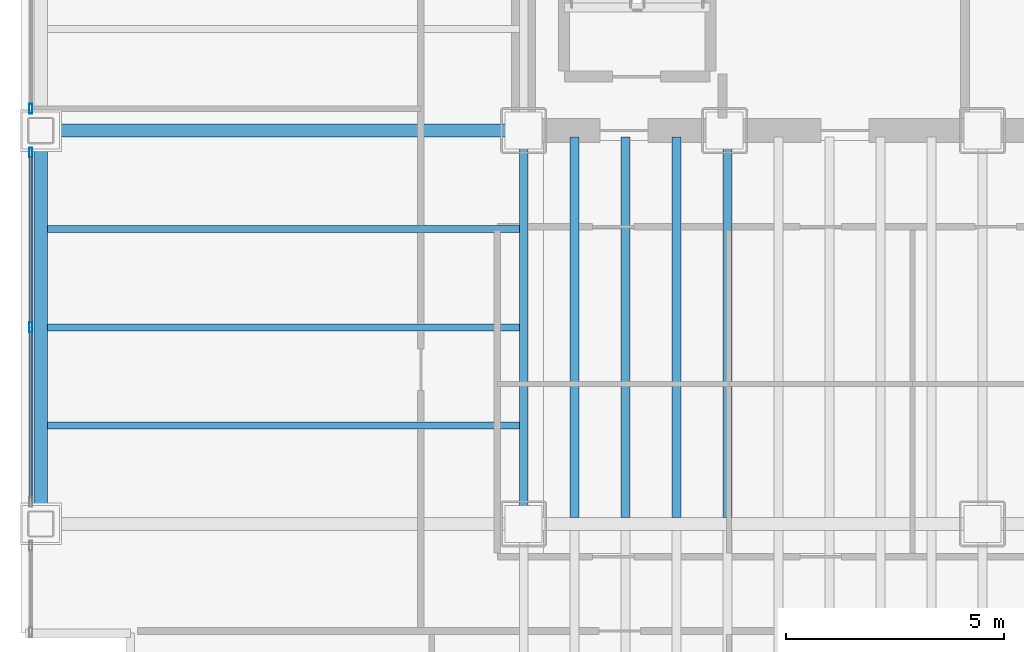
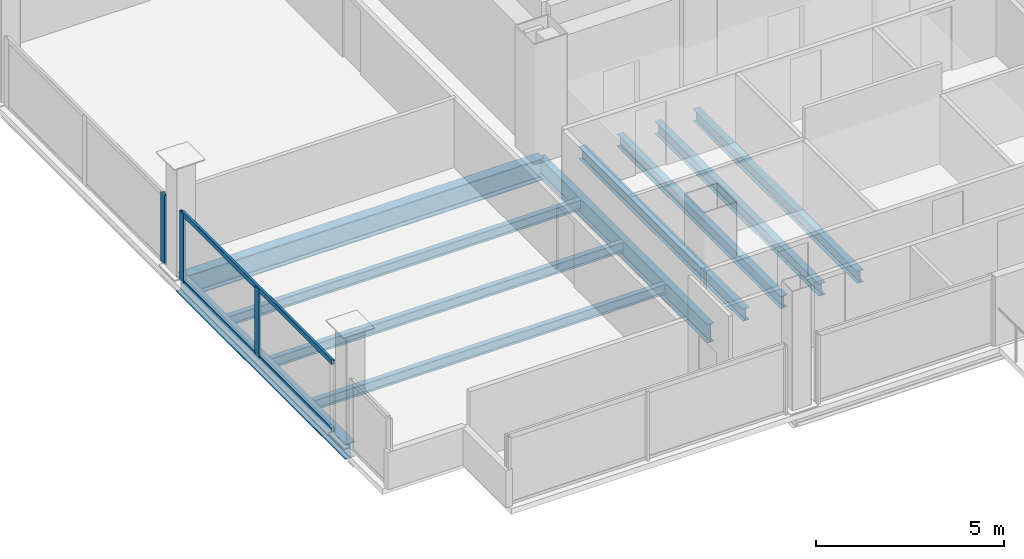
# One storey, part 3 of 21: 10 beams, 5 members, 2 elements without a shape of their own.
"""IFC4 building model written with IfcOpenShell, lengths in metres."""

from ifc_helpers import new_model, si_unit, direction, frame, origin, origin_2d, place, context, subcontext, project, spatial, hollow_rectangle, i_section, extrude, material, material_profile, profile_set, type_object, element, aggregate, save


model = new_model("IFC4")

# Units and contexts
model_context = context("Model", 3, precision=1e-05, world=origin(), true_north=direction((0.0, 1.0)))
body_context = subcontext(model_context, "Body", "Model", "MODEL_VIEW")
ifc_project = project(units=[si_unit("LENGTHUNIT", "METRE"), si_unit("AREAUNIT", "SQUARE_METRE"), si_unit("VOLUMEUNIT", "CUBIC_METRE"), si_unit("PLANEANGLEUNIT", "RADIAN"), si_unit("MASSUNIT", "GRAM", prefix="KILO")], contexts=[model_context])

# Site, building, storey
site_placement = place(None, origin())
site = spatial("IfcSite", under=ifc_project, at=site_placement, CompositionType="ELEMENT")
building_placement = place(site_placement, origin())
building = spatial("IfcBuilding", under=site, at=building_placement, Name="Noeulbin Bourse Tower", CompositionType="ELEMENT")
storey_placement = place(building_placement, frame((0.0, 0.0, 49.89990234375)))
storey = spatial("IfcBuildingStorey", under=building, at=storey_placement, Name="L12", CompositionType="ELEMENT", Elevation=49.89990234375)

# Beams
ifc_material_1 = material(Name="Steel S355", Category="steel")
ifc_material_profile_1 = material_profile(ifc_material_1, i_section(OverallWidth=0.199951171875, OverallDepth=0.60009765625, WebThickness=0.010986328125, FlangeThickness=0.01708984375, FilletRadius=0.02197265625, at=origin_2d()), Name="H-600x200x11x17", Category="LoadBearing")
ifc_profile_set_1 = profile_set([ifc_material_profile_1], Name="Steel S355")
beam_type_1 = type_object("IfcBeamType", Name="BM-GRD-600", PredefinedType="USERDEFINED", material=ifc_profile_set_1)
beam_1_placement = place(storey_placement, frame((13.5, 20.0, -0.47998046875), z_axis=(0.0, 1.0, 0.0), x_axis=(-1.0, 0.0, 0.0)))
element("IfcBeam", 1, at=beam_1_placement, inside=storey, type_object=beam_type_1, Name="Tower Primary Girder NS L12-1.2", ObjectType="GIRDER", PredefinedType="USERDEFINED", context=body_context, shape_type="SweptSolid", body=[
    extrude(i_section(OverallWidth=0.199951171875, OverallDepth=0.60009765625, WebThickness=0.010986328125, FlangeThickness=0.01708984375, FilletRadius=0.02197265625, at=origin_2d()), origin(), (0.0, 0.0, 1.0), 9.0),
])
ifc_material_profile_2 = material_profile(ifc_material_1, i_section(OverallWidth=0.300048828125, OverallDepth=0.699951171875, WebThickness=0.012939453125, FlangeThickness=0.02392578125, FilletRadius=0.02392578125, at=origin_2d()), Name="H-700x300x13x24", Category="LoadBearing")
ifc_profile_set_2 = profile_set([ifc_material_profile_2], Name="Steel S355")
beam_type_2 = type_object("IfcBeamType", Name="BM-GRD-700", PredefinedType="USERDEFINED", material=ifc_profile_set_2)
beam_2_placement = place(storey_placement, frame((2.449951171875, 29.0, -0.52978515625), z_axis=(1.0, 0.0, 0.0), x_axis=(0.0, 1.0, 0.0)))
element("IfcBeam", 2, at=beam_2_placement, inside=storey, type_object=beam_type_2, Name="Tower Primary Girder EW L12-2.1", ObjectType="GIRDER", PredefinedType="USERDEFINED", context=body_context, shape_type="SweptSolid", body=[
    extrude(i_section(OverallWidth=0.300048828125, OverallDepth=0.699951171875, WebThickness=0.012939453125, FlangeThickness=0.02392578125, FilletRadius=0.02392578125, at=origin_2d()), origin(), (0.0, 0.0, 1.0), 11.050048828125),
])
ifc_material_profile_3 = material_profile(ifc_material_1, i_section(OverallWidth=0.159912109375, OverallDepth=0.320068359375, WebThickness=0.006591796875, FlangeThickness=0.010009765625, FilletRadius=0.012939453125, at=origin_2d()), Name="H-320x160x6.5x10", Category="LoadBearing")
ifc_profile_set_3 = profile_set([ifc_material_profile_3], Name="Steel S355")
beam_type_3 = type_object("IfcBeamType", Name="BM-JST-320", PredefinedType="JOIST", material=ifc_profile_set_3)
for number, where, z_axis, x_axis, name in (
    (3, (2.60009765625, 22.25, -0.33984375), (1.0, 0.0, 0.0), (0.0, 1.0, 0.0), "Wing Composite Joist L12-W70"),
    (4, (2.60009765625, 24.5, -0.33984375), (1.0, 0.0, 0.0), (0.0, 1.0, 0.0), "Wing Composite Joist L12-W71"),
    (5, (2.60009765625, 26.75, -0.33984375), (1.0, 0.0, 0.0), (0.0, 1.0, 0.0), "Wing Composite Joist L12-W72"),
):
    element("IfcBeam", number, at=place(storey_placement, frame(where, z_axis=z_axis, x_axis=x_axis)), inside=storey, type_object=beam_type_3, Name=name, PredefinedType="JOIST", context=body_context, shape_type="SweptSolid", body=[
        extrude(i_section(OverallWidth=0.159912109375, OverallDepth=0.320068359375, WebThickness=0.006591796875, FlangeThickness=0.010009765625, FilletRadius=0.012939453125, at=origin_2d()), origin(), (0.0, 0.0, 1.0), 10.7998046875),
    ])
ifc_material_profile_4 = material_profile(ifc_material_1, i_section(OverallWidth=0.199951171875, OverallDepth=0.39990234375, WebThickness=0.008056640625, FlangeThickness=0.012939453125, FilletRadius=0.01611328125, at=origin_2d()), Name="H-400x200x8x13", Category="LoadBearing")
ifc_profile_set_4 = profile_set([ifc_material_profile_4], Name="Steel S355")
beam_type_4 = type_object("IfcBeamType", Name="BM-SEC-400", PredefinedType="BEAM", material=ifc_profile_set_4)
for number, where, z_axis, x_axis, name in (
    (6, (14.666748046875, 20.14990234375, -0.3798828125), (0.0, 1.0, 0.0), (-1.0, 0.0, 0.0), "Tower Composite Joist L12-02"),
    (7, (15.833251953125, 20.14990234375, -0.3798828125), (0.0, 1.0, 0.0), (-1.0, 0.0, 0.0), "Tower Composite Joist L12-05"),
    (8, (17.0, 20.14990234375, -0.3798828125), (0.0, 1.0, 0.0), (-1.0, 0.0, 0.0), "Tower Composite Joist L12-08"),
    (9, (18.166748046875, 20.14990234375, -0.3798828125), (0.0, 1.0, 0.0), (-1.0, 0.0, 0.0), "Tower Composite Joist L12-11"),
):
    element("IfcBeam", number, at=place(storey_placement, frame(where, z_axis=z_axis, x_axis=x_axis)), inside=storey, type_object=beam_type_4, Name=name, PredefinedType="BEAM", context=body_context, shape_type="SweptSolid", body=[
        extrude(i_section(OverallWidth=0.199951171875, OverallDepth=0.39990234375, WebThickness=0.008056640625, FlangeThickness=0.012939453125, FilletRadius=0.01611328125, at=origin_2d()), origin(), (0.0, 0.0, 1.0), 8.7001953125),
    ])
ifc_material_profile_5 = material_profile(ifc_material_1, i_section(OverallWidth=0.300048828125, OverallDepth=0.488037109375, WebThickness=0.010986328125, FlangeThickness=0.01806640625, FilletRadius=0.02197265625, at=origin_2d()), Name="H-488x300x11x18", Category="LoadBearing")
ifc_profile_set_5 = profile_set([ifc_material_profile_5], Name="Steel S355")
beam_type_5 = type_object("IfcBeamType", Name="BM-SPN-488", PredefinedType="SPANDREL", material=ifc_profile_set_5)
beam_3_placement = place(storey_placement, frame((2.449951171875, 20.0, -0.423828125), z_axis=(0.0, 1.0, 0.0), x_axis=(-1.0, 0.0, 0.0)))
element("IfcBeam", 10, at=beam_3_placement, inside=storey, type_object=beam_type_5, Name="West Spandrel L12-1", PredefinedType="SPANDREL", context=body_context, shape_type="SweptSolid", body=[
    extrude(i_section(OverallWidth=0.300048828125, OverallDepth=0.488037109375, WebThickness=0.010986328125, FlangeThickness=0.01806640625, FilletRadius=0.02197265625, at=origin_2d()), origin(), (0.0, 0.0, 1.0), 9.0),
])

# Curtain wall, members
ifc_material_2 = material(Name="Dark Solar-Control Double Glazing", Category="glass")
curtain_wall_type = type_object("IfcCurtainWallType", Name="CW-SYS-2", PredefinedType="NOTDEFINED", material=ifc_material_2)
curtain_wall_1_placement = place(storey_placement, origin())
curtain_wall_1 = element("IfcCurtainWall", 11, at=curtain_wall_1_placement, inside=storey, type_object=curtain_wall_type, Name="Unitised Curtain Wall CW-L12-W-S2", PredefinedType="NOTDEFINED")
ifc_material_3 = material(Name="Anodised Aluminium 6063-T6", Category="aluminium")
ifc_material_profile_6 = material_profile(ifc_material_3, hollow_rectangle(XDim=0.074951171875, YDim=0.219970703125, WallThickness=0.0048828125, InnerFilletRadius=0.00244140625, OuterFilletRadius=0.0048828125, at=origin_2d()), Name="ALU-MULL-75x220x5", Category="LoadBearing")
ifc_profile_set_6 = profile_set([ifc_material_profile_6], Name="Anodised Aluminium 6063-T6")
member_type_1 = type_object("IfcMemberType", Name="CW-SYS-2-MUL", PredefinedType="MULLION", material=ifc_profile_set_6)
member_1_placement = place(storey_placement, frame((2.219970703125, 24.5, -0.02001953125), z_axis=(0.0, 0.0, 1.0), x_axis=(1.0, 0.0, 0.0)))
member_1 = element("IfcMember", 12, at=member_1_placement, type_object=member_type_1, Name="Curtain Wall Mullion CW-L12-W-S2-M01", PredefinedType="MULLION", context=body_context, shape_type="SweptSolid", body=[
    extrude(hollow_rectangle(XDim=0.074951171875, YDim=0.219970703125, WallThickness=0.0048828125, InnerFilletRadius=0.00244140625, OuterFilletRadius=0.0048828125, at=origin_2d()), origin(), (0.0, 0.0, 1.0), 2.260009765625),
])
member_2_placement = place(storey_placement, frame((2.219970703125, 28.5, -0.02001953125), z_axis=(0.0, 0.0, 1.0), x_axis=(1.0, 0.0, 0.0)))
member_2 = element("IfcMember", 13, at=member_2_placement, type_object=member_type_1, Name="Curtain Wall Mullion CW-L12-W-S2-M02", PredefinedType="MULLION", context=body_context, shape_type="SweptSolid", body=[
    extrude(hollow_rectangle(XDim=0.074951171875, YDim=0.219970703125, WallThickness=0.0048828125, InnerFilletRadius=0.00244140625, OuterFilletRadius=0.0048828125, at=origin_2d()), origin(), (0.0, 0.0, 1.0), 2.260009765625),
])

# Curtain wall, member
curtain_wall_2_placement = place(storey_placement, origin())
curtain_wall_2 = element("IfcCurtainWall", 14, at=curtain_wall_2_placement, inside=storey, type_object=curtain_wall_type, Name="Unitised Curtain Wall CW-L12-W-S3", PredefinedType="NOTDEFINED")
member_3_placement = place(storey_placement, frame((2.219970703125, 29.5, -0.02001953125), z_axis=(0.0, 0.0, 1.0), x_axis=(1.0, 0.0, 0.0)))
member_3 = element("IfcMember", 15, at=member_3_placement, type_object=member_type_1, Name="Curtain Wall Mullion CW-L12-W-S3-M00", PredefinedType="MULLION", context=body_context, shape_type="SweptSolid", body=[
    extrude(hollow_rectangle(XDim=0.074951171875, YDim=0.219970703125, WallThickness=0.0048828125, InnerFilletRadius=0.00244140625, OuterFilletRadius=0.0048828125, at=origin_2d()), origin(), (0.0, 0.0, 1.0), 2.260009765625),
])
aggregate(curtain_wall_2, [member_3])

# Member
ifc_material_profile_7 = material_profile(ifc_material_3, hollow_rectangle(XDim=0.074951171875, YDim=0.159912109375, WallThickness=0.0048828125, InnerFilletRadius=0.00244140625, OuterFilletRadius=0.0048828125, at=origin_2d()), Name="ALU-TRAN-75x160x5", Category="LoadBearing")
ifc_profile_set_7 = profile_set([ifc_material_profile_7], Name="Anodised Aluminium 6063-T6")
member_type_2 = type_object("IfcMemberType", Name="CW-SYS-2-TRN", PredefinedType="USERDEFINED", material=ifc_profile_set_7)
member_4_placement = place(storey_placement, frame((2.219970703125, 20.510009765625, 0.010009765625), z_axis=(0.0, 1.0, 0.0), x_axis=(-1.0, 0.0, 0.0)))
member_4 = element("IfcMember", 16, at=member_4_placement, type_object=member_type_2, Name="Curtain Wall Transom CW-L12-W-S2-T00", ObjectType="TRANSOM", PredefinedType="USERDEFINED", context=body_context, shape_type="SweptSolid", body=[
    extrude(hollow_rectangle(XDim=0.074951171875, YDim=0.159912109375, WallThickness=0.0048828125, InnerFilletRadius=0.00244140625, OuterFilletRadius=0.0048828125, at=origin_2d()), origin(), (0.0, 0.0, 1.0), 7.97998046875),
])

member_5_placement = place(storey_placement, frame((2.219970703125, 20.510009765625, 2.210205078125), z_axis=(0.0, 1.0, 0.0), x_axis=(-1.0, 0.0, 0.0)))
member_5 = element("IfcMember", 17, at=member_5_placement, type_object=member_type_2, Name="Curtain Wall Transom CW-L12-W-S2-T01", ObjectType="TRANSOM", PredefinedType="USERDEFINED", context=body_context, shape_type="SweptSolid", body=[
    extrude(hollow_rectangle(XDim=0.074951171875, YDim=0.159912109375, WallThickness=0.0048828125, InnerFilletRadius=0.00244140625, OuterFilletRadius=0.0048828125, at=origin_2d()), origin(), (0.0, 0.0, 1.0), 7.97998046875),
])

aggregate(curtain_wall_1, [member_1, member_2, member_4, member_5])

save(model, "model.ifc")
